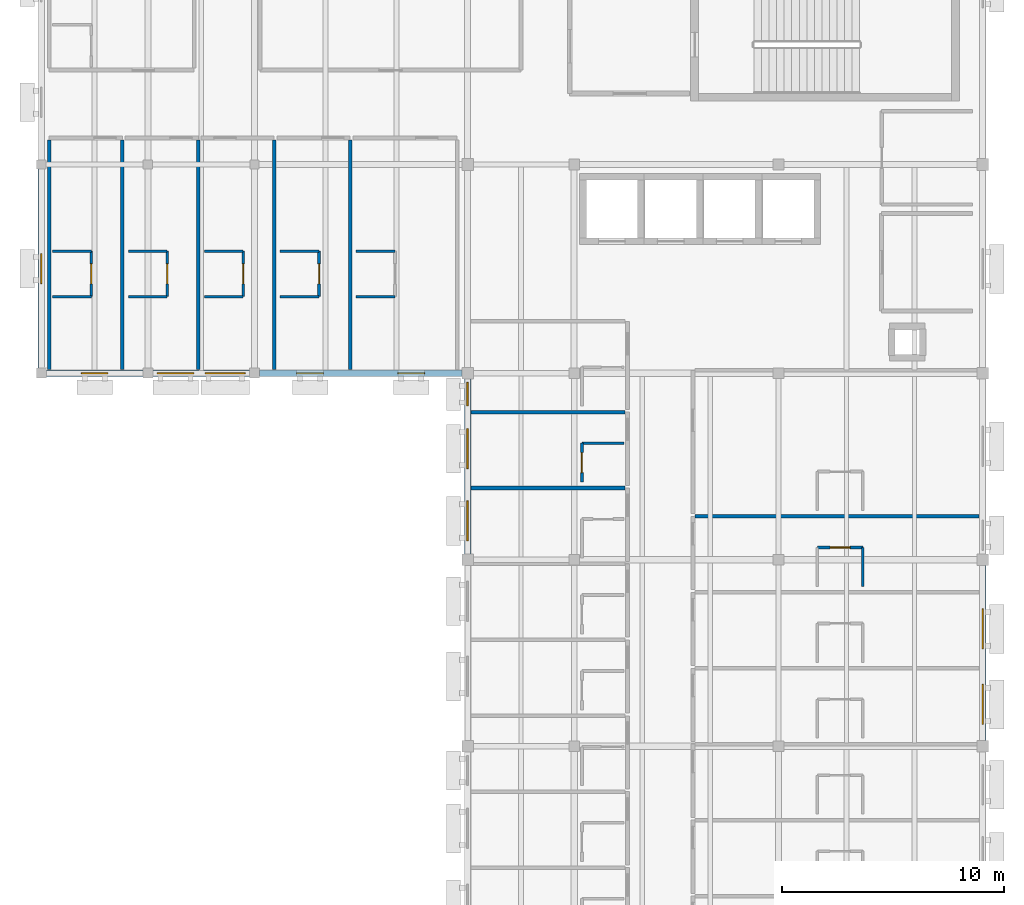
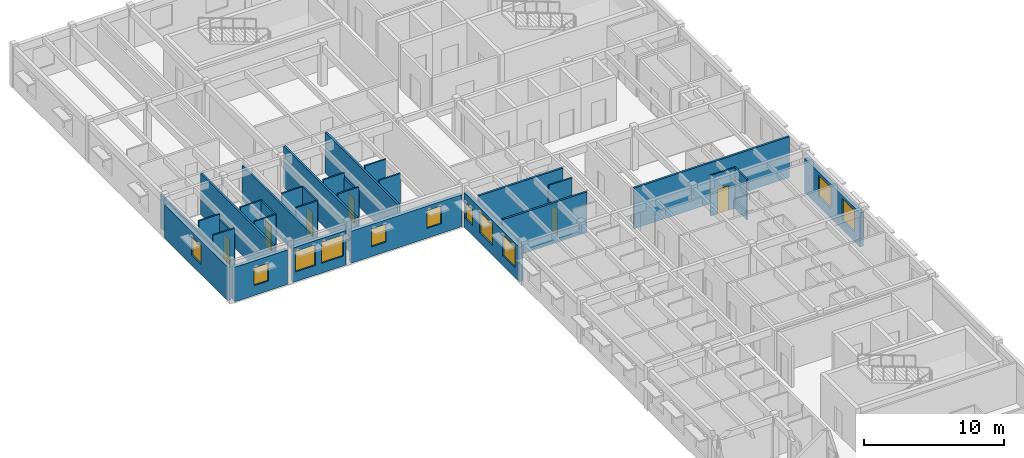
# One storey, part 12 of 22: 32 walls, 11 windows, 6 doors, 17 openings.
"""IFC4 building model written with IfcOpenShell, lengths in metres."""

from ifc_helpers import new_model, si_unit, direction, frame, frame_2d, origin, place, context, subcontext, project, spatial, rectangle, extrude, material, layer, layer_set, type_object, element, fill, save


model = new_model("IFC4")

# Units and contexts
model_context = context("Model", 3, precision=1e-05, world=origin(), true_north=direction((0.0, 1.0)))
body_context = subcontext(model_context, "Body", "Model", "MODEL_VIEW")
ifc_project = project(units=[si_unit("LENGTHUNIT", "METRE"), si_unit("AREAUNIT", "SQUARE_METRE"), si_unit("VOLUMEUNIT", "CUBIC_METRE"), si_unit("PLANEANGLEUNIT", "RADIAN"), si_unit("MASSUNIT", "GRAM", prefix="KILO")], contexts=[model_context])

# Site, building, storey
site_placement = place(None, origin())
site = spatial("IfcSite", under=ifc_project, at=site_placement, CompositionType="ELEMENT")
building_placement = place(site_placement, origin())
building = spatial("IfcBuilding", under=site, at=building_placement, Name="Veldera Park Congress Hotel", CompositionType="ELEMENT")
storey_placement = place(building_placement, frame((0.0, 0.0, 23.800048828125)))
storey = spatial("IfcBuildingStorey", under=building, at=storey_placement, Name="L05", CompositionType="ELEMENT", Elevation=23.800048828125)

# Wall, openings, windows
ifc_material_1 = material(Name="Cross-laminated timber CLT V2M1.1", Category="wood")
ifc_layer_1 = layer(ifc_material_1, 0.300048828125)
ifc_layer_set_1 = layer_set([ifc_layer_1], Name="Cross-laminated timber CLT V2M1.1")
wall_type_1 = type_object("IfcWallType", Name="EW-CLT300", PredefinedType="STANDARD", material=ifc_layer_set_1)
wall_1_placement = place(storey_placement, frame((84.0, 10.4580078125, 0.0), z_axis=(0.0, 0.0, 1.0), x_axis=(0.0, 1.0, 0.0)))
wall_1 = element("IfcWall", 1, at=wall_1_placement, inside=storey, type_object=wall_type_1, Name="L05 Exterior Wall EW3-L05-0285", PredefinedType="STANDARD", context=body_context, shape_type="SweptSolid", body=[
    extrude(rectangle(XDim=7.884033203125, YDim=0.300048828125, at=frame_2d((3.94189453125, 0.0))), origin(), (0.0, 0.0, 1.0), 2.96484375),
])
opening_1_placement = place(wall_1_placement, frame((0.72607421875, 0.0, 0.85009765625)))
opening_1 = element("IfcOpeningElement", 2, at=opening_1_placement, cuts=wall_1, Name="Opening WIN-1800", PredefinedType="OPENING", context=body_context, shape_type="SweptSolid", body=[
    extrude(rectangle(XDim=1.800048828125, YDim=1.85009765625, at=frame_2d((0.89990234375, 0.925048828125))), frame((0.0, 0.162109375, 0.0), z_axis=(0.0, -1.0, 0.0), x_axis=(1.0, 0.0, 0.0)), (0.0, 0.0, 1.0), 0.323974609375),
])
opening_2_placement = place(wall_1_placement, frame((4.1220703125, 0.0, 0.85009765625)))
opening_2 = element("IfcOpeningElement", 3, at=opening_2_placement, cuts=wall_1, Name="Opening WIN-1800", PredefinedType="OPENING", context=body_context, shape_type="SweptSolid", body=[
    extrude(rectangle(XDim=1.800048828125, YDim=1.85009765625, at=frame_2d((0.89990234375, 0.925048828125))), frame((0.0, 0.162109375, 0.0), z_axis=(0.0, -1.0, 0.0), x_axis=(1.0, 0.0, 0.0)), (0.0, 0.0, 1.0), 0.323974609375),
])
ifc_material_2 = material(Name="Low-E Triple Insulating Glass Unit (SHGC 0.22)", Category="glass")
window_type_1 = type_object("IfcWindowType", Name="WIN-1800", PartitioningType="SINGLE_PANEL", PredefinedType="WINDOW", material=ifc_material_2)
window_1_placement = place(opening_1_placement, origin())
window_1 = element("IfcWindow", 4, at=window_1_placement, inside=storey, type_object=window_type_1, Name="L05 Window WIN-1800 502", OverallHeight=1.85009765625, OverallWidth=1.800048828125, PartitioningType="SINGLE_PANEL", PredefinedType="WINDOW", context=body_context, shape_type="SweptSolid", body=[
    extrude(rectangle(XDim=1.800048828125, YDim=1.85009765625, at=frame_2d((0.89990234375, 0.925048828125))), frame((0.0, 0.030029296875, 0.0), z_axis=(0.0, -1.0, 0.0), x_axis=(1.0, 0.0, 0.0)), (0.0, 0.0, 1.0), 0.06005859375),
])
fill(opening_1, window_1)
window_2_placement = place(opening_2_placement, origin())
window_2 = element("IfcWindow", 5, at=window_2_placement, inside=storey, type_object=window_type_1, Name="L05 Window WIN-1800 503", OverallHeight=1.85009765625, OverallWidth=1.800048828125, PartitioningType="SINGLE_PANEL", PredefinedType="WINDOW", context=body_context, shape_type="SweptSolid", body=[
    extrude(rectangle(XDim=1.800048828125, YDim=1.85009765625, at=frame_2d((0.89990234375, 0.925048828125))), frame((0.0, 0.030029296875, 0.0), z_axis=(0.0, -1.0, 0.0), x_axis=(1.0, 0.0, 0.0)), (0.0, 0.0, 1.0), 0.06005859375),
])
fill(opening_2, window_2)

# Wall, opening, window
wall_2_placement = place(storey_placement, frame((41.60009765625, 36.19189453125, 0.0), z_axis=(0.0, 0.0, 1.0), x_axis=(0.0, -1.0, 0.0)))
wall_2 = element("IfcWall", 6, at=wall_2_placement, inside=storey, type_object=wall_type_1, Name="L05 Exterior Wall EW3-L05-0296", PredefinedType="STANDARD", context=body_context, shape_type="SweptSolid", body=[
    extrude(rectangle(XDim=8.968994140625, YDim=0.300048828125, at=frame_2d((4.484375, 0.0))), origin(), (0.0, 0.0, 1.0), 2.925048828125),
])
opening_3_placement = place(wall_2_placement, frame((3.8095703125, 0.0, 0.85009765625)))
opening_3 = element("IfcOpeningElement", 7, at=opening_3_placement, cuts=wall_2, Name="Opening WIN-1350", PredefinedType="OPENING", context=body_context, shape_type="SweptSolid", body=[
    extrude(rectangle(XDim=1.35009765625, YDim=1.64990234375, at=frame_2d((0.675048828125, 0.824951171875))), frame((0.0, 0.162109375, 0.0), z_axis=(0.0, -1.0, 0.0), x_axis=(1.0, 0.0, 0.0)), (0.0, 0.0, 1.0), 0.323974609375),
])
window_type_2 = type_object("IfcWindowType", Name="WIN-1350", PartitioningType="SINGLE_PANEL", PredefinedType="WINDOW", material=ifc_material_2)
window_3_placement = place(opening_3_placement, origin())
window_3 = element("IfcWindow", 8, at=window_3_placement, inside=storey, type_object=window_type_2, Name="L05 Window WIN-1350 231", OverallHeight=1.64990234375, OverallWidth=1.35009765625, PartitioningType="SINGLE_PANEL", PredefinedType="WINDOW", context=body_context, shape_type="SweptSolid", body=[
    extrude(rectangle(XDim=1.35009765625, YDim=1.64990234375, at=frame_2d((0.675048828125, 0.824951171875))), frame((0.0, 0.030029296875, 0.0), z_axis=(0.0, -1.0, 0.0), x_axis=(1.0, 0.0, 0.0)), (0.0, 0.0, 1.0), 0.06005859375),
])
fill(opening_3, window_3)

wall_3_placement = place(storey_placement, frame((41.822998046875, 27.0, 0.0), z_axis=(0.0, 0.0, 1.0), x_axis=(1.0, 0.0, 0.0)))
wall_3 = element("IfcWall", 9, at=wall_3_placement, inside=storey, type_object=wall_type_1, Name="L05 Exterior Wall EW3-L05-0297", PredefinedType="STANDARD", context=body_context, shape_type="SweptSolid", body=[
    extrude(rectangle(XDim=4.35400390625, YDim=0.300048828125, at=frame_2d((2.177001953125, 0.0))), origin(), (0.0, 0.0, 1.0), 3.0048828125),
])
opening_4_placement = place(wall_3_placement, frame((1.576904296875, 0.0, 0.85009765625)))
opening_4 = element("IfcOpeningElement", 10, at=opening_4_placement, cuts=wall_3, Name="Opening WIN-1200", PredefinedType="OPENING", context=body_context, shape_type="SweptSolid", body=[
    extrude(rectangle(XDim=1.199951171875, YDim=1.550048828125, at=frame_2d((0.60009765625, 0.77490234375))), frame((0.0, 0.162109375, 0.0), z_axis=(0.0, -1.0, 0.0), x_axis=(1.0, 0.0, 0.0)), (0.0, 0.0, 1.0), 0.323974609375),
])
window_type_3 = type_object("IfcWindowType", Name="WIN-1200", PartitioningType="SINGLE_PANEL", PredefinedType="WINDOW", material=ifc_material_2)
window_4_placement = place(opening_4_placement, origin())
window_4 = element("IfcWindow", 11, at=window_4_placement, inside=storey, type_object=window_type_3, Name="L05 Window WIN-1200 232", OverallHeight=1.550048828125, OverallWidth=1.199951171875, PartitioningType="SINGLE_PANEL", PredefinedType="WINDOW", context=body_context, shape_type="SweptSolid", body=[
    extrude(rectangle(XDim=1.199951171875, YDim=1.550048828125, at=frame_2d((0.60009765625, 0.77490234375))), frame((0.0, 0.030029296875, 0.0), z_axis=(0.0, -1.0, 0.0), x_axis=(1.0, 0.0, 0.0)), (0.0, 0.0, 1.0), 0.06005859375),
])
fill(opening_4, window_4)

# Wall, openings, windows
wall_4_placement = place(storey_placement, frame((46.623046875, 27.0, 0.0), z_axis=(0.0, 0.0, 1.0), x_axis=(1.0, 0.0, 0.0)))
wall_4 = element("IfcWall", 12, at=wall_4_placement, inside=storey, type_object=wall_type_1, Name="L05 Exterior Wall EW3-L05-0298", PredefinedType="STANDARD", context=body_context, shape_type="SweptSolid", body=[
    extrude(rectangle(XDim=4.35400390625, YDim=0.300048828125, at=frame_2d((2.177001953125, 0.0))), origin(), (0.0, 0.0, 1.0), 3.0048828125),
])
opening_5_placement = place(wall_4_placement, frame((0.198486328125, 0.0, 0.85009765625)))
opening_5 = element("IfcOpeningElement", 13, at=opening_5_placement, cuts=wall_4, Name="Opening WIN-1650", PredefinedType="OPENING", context=body_context, shape_type="SweptSolid", body=[
    extrude(rectangle(XDim=1.64990234375, YDim=1.800048828125, at=frame_2d((0.824951171875, 0.89990234375))), frame((0.0, 0.162109375, 0.0), z_axis=(0.0, -1.0, 0.0), x_axis=(1.0, 0.0, 0.0)), (0.0, 0.0, 1.0), 0.323974609375),
])
opening_6_placement = place(wall_4_placement, frame((2.360595703125, 0.0, 0.85009765625)))
opening_6 = element("IfcOpeningElement", 14, at=opening_6_placement, cuts=wall_4, Name="Opening WIN-1800", PredefinedType="OPENING", context=body_context, shape_type="SweptSolid", body=[
    extrude(rectangle(XDim=1.800048828125, YDim=1.85009765625, at=frame_2d((0.89990234375, 0.925048828125))), frame((0.0, 0.162109375, 0.0), z_axis=(0.0, -1.0, 0.0), x_axis=(1.0, 0.0, 0.0)), (0.0, 0.0, 1.0), 0.323974609375),
])
window_type_4 = type_object("IfcWindowType", Name="WIN-1650", PartitioningType="SINGLE_PANEL", PredefinedType="WINDOW", material=ifc_material_2)
window_5_placement = place(opening_5_placement, origin())
window_5 = element("IfcWindow", 15, at=window_5_placement, inside=storey, type_object=window_type_4, Name="L05 Window WIN-1650 506", OverallHeight=1.800048828125, OverallWidth=1.64990234375, PartitioningType="SINGLE_PANEL", PredefinedType="WINDOW", context=body_context, shape_type="SweptSolid", body=[
    extrude(rectangle(XDim=1.64990234375, YDim=1.800048828125, at=frame_2d((0.824951171875, 0.89990234375))), frame((0.0, 0.030029296875, 0.0), z_axis=(0.0, -1.0, 0.0), x_axis=(1.0, 0.0, 0.0)), (0.0, 0.0, 1.0), 0.06005859375),
])
fill(opening_5, window_5)
window_6_placement = place(opening_6_placement, origin())
window_6 = element("IfcWindow", 16, at=window_6_placement, inside=storey, type_object=window_type_1, Name="L05 Window WIN-1800 507", OverallHeight=1.85009765625, OverallWidth=1.800048828125, PartitioningType="SINGLE_PANEL", PredefinedType="WINDOW", context=body_context, shape_type="SweptSolid", body=[
    extrude(rectangle(XDim=1.800048828125, YDim=1.85009765625, at=frame_2d((0.89990234375, 0.925048828125))), frame((0.0, 0.030029296875, 0.0), z_axis=(0.0, -1.0, 0.0), x_axis=(1.0, 0.0, 0.0)), (0.0, 0.0, 1.0), 0.06005859375),
])
fill(opening_6, window_6)

wall_5_placement = place(storey_placement, frame((51.423095703125, 27.0, 0.0), z_axis=(0.0, 0.0, 1.0), x_axis=(1.0, 0.0, 0.0)))
wall_5 = element("IfcWall", 17, at=wall_5_placement, inside=storey, type_object=wall_type_1, Name="L05 Exterior Wall EW3-L05-0299", PredefinedType="STANDARD", context=body_context, shape_type="SweptSolid", body=[
    extrude(rectangle(XDim=9.118896484375, YDim=0.300048828125, at=frame_2d((4.5595703125, 0.0))), origin(), (0.0, 0.0, 1.0), 2.784912109375),
])
opening_7_placement = place(wall_5_placement, frame((1.6796875, 0.0, 0.85009765625)))
opening_7 = element("IfcOpeningElement", 18, at=opening_7_placement, cuts=wall_5, Name="Opening WIN-1200", PredefinedType="OPENING", context=body_context, shape_type="SweptSolid", body=[
    extrude(rectangle(XDim=1.199951171875, YDim=1.550048828125, at=frame_2d((0.60009765625, 0.77490234375))), frame((0.0, 0.162109375, 0.0), z_axis=(0.0, -1.0, 0.0), x_axis=(1.0, 0.0, 0.0)), (0.0, 0.0, 1.0), 0.323974609375),
])
opening_8_placement = place(wall_5_placement, frame((6.2392578125, 0.0, 0.85009765625)))
opening_8 = element("IfcOpeningElement", 19, at=opening_8_placement, cuts=wall_5, Name="Opening WIN-1200", PredefinedType="OPENING", context=body_context, shape_type="SweptSolid", body=[
    extrude(rectangle(XDim=1.199951171875, YDim=1.550048828125, at=frame_2d((0.60009765625, 0.77490234375))), frame((0.0, 0.162109375, 0.0), z_axis=(0.0, -1.0, 0.0), x_axis=(1.0, 0.0, 0.0)), (0.0, 0.0, 1.0), 0.323974609375),
])
window_7_placement = place(opening_7_placement, origin())
window_7 = element("IfcWindow", 20, at=window_7_placement, inside=storey, type_object=window_type_3, Name="L05 Window WIN-1200 233", OverallHeight=1.550048828125, OverallWidth=1.199951171875, PartitioningType="SINGLE_PANEL", PredefinedType="WINDOW", context=body_context, shape_type="SweptSolid", body=[
    extrude(rectangle(XDim=1.199951171875, YDim=1.550048828125, at=frame_2d((0.60009765625, 0.77490234375))), frame((0.0, 0.030029296875, 0.0), z_axis=(0.0, -1.0, 0.0), x_axis=(1.0, 0.0, 0.0)), (0.0, 0.0, 1.0), 0.06005859375),
])
fill(opening_7, window_7)
window_8_placement = place(opening_8_placement, origin())
window_8 = element("IfcWindow", 21, at=window_8_placement, inside=storey, type_object=window_type_3, Name="L05 Window WIN-1200 234", OverallHeight=1.550048828125, OverallWidth=1.199951171875, PartitioningType="SINGLE_PANEL", PredefinedType="WINDOW", context=body_context, shape_type="SweptSolid", body=[
    extrude(rectangle(XDim=1.199951171875, YDim=1.550048828125, at=frame_2d((0.60009765625, 0.77490234375))), frame((0.0, 0.030029296875, 0.0), z_axis=(0.0, -1.0, 0.0), x_axis=(1.0, 0.0, 0.0)), (0.0, 0.0, 1.0), 0.06005859375),
])
fill(opening_8, window_8)

wall_6_placement = place(storey_placement, frame((60.800048828125, 26.741943359375, 0.0), z_axis=(0.0, 0.0, 1.0), x_axis=(0.0, -1.0, 0.0)))
wall_6 = element("IfcWall", 22, at=wall_6_placement, inside=storey, type_object=wall_type_1, Name="L05 Exterior Wall EW3-L05-0300", PredefinedType="STANDARD", context=body_context, shape_type="SweptSolid", body=[
    extrude(rectangle(XDim=7.884033203125, YDim=0.300048828125, at=frame_2d((3.94189453125, 0.0))), origin(), (0.0, 0.0, 1.0), 3.0048828125),
])
opening_9_placement = place(wall_6_placement, frame((5.498046875, 0.0, 0.85009765625)))
opening_9 = element("IfcOpeningElement", 23, at=opening_9_placement, cuts=wall_6, Name="Opening WIN-1800", PredefinedType="OPENING", context=body_context, shape_type="SweptSolid", body=[
    extrude(rectangle(XDim=1.800048828125, YDim=1.85009765625, at=frame_2d((0.89990234375, 0.925048828125))), frame((0.0, 0.162109375, 0.0), z_axis=(0.0, -1.0, 0.0), x_axis=(1.0, 0.0, 0.0)), (0.0, 0.0, 1.0), 0.323974609375),
])
opening_10_placement = place(wall_6_placement, frame((2.241943359375, 0.0, 0.85009765625)))
opening_10 = element("IfcOpeningElement", 24, at=opening_10_placement, cuts=wall_6, Name="Opening WIN-1800", PredefinedType="OPENING", context=body_context, shape_type="SweptSolid", body=[
    extrude(rectangle(XDim=1.800048828125, YDim=1.85009765625, at=frame_2d((0.89990234375, 0.925048828125))), frame((0.0, 0.162109375, 0.0), z_axis=(0.0, -1.0, 0.0), x_axis=(1.0, 0.0, 0.0)), (0.0, 0.0, 1.0), 0.323974609375),
])
opening_11_placement = place(wall_6_placement, frame((0.160888671875, 0.0, 0.85009765625)))
opening_11 = element("IfcOpeningElement", 25, at=opening_11_placement, cuts=wall_6, Name="Opening WIN-1050", PredefinedType="OPENING", context=body_context, shape_type="SweptSolid", body=[
    extrude(rectangle(XDim=1.050048828125, YDim=1.449951171875, at=frame_2d((0.52490234375, 0.72509765625))), frame((0.0, 0.162109375, 0.0), z_axis=(0.0, -1.0, 0.0), x_axis=(1.0, 0.0, 0.0)), (0.0, 0.0, 1.0), 0.323974609375),
])
window_type_5 = type_object("IfcWindowType", Name="WIN-1050", PartitioningType="SINGLE_PANEL", PredefinedType="WINDOW", material=ifc_material_2)
window_9_placement = place(opening_11_placement, origin())
window_9 = element("IfcWindow", 26, at=window_9_placement, inside=storey, type_object=window_type_5, Name="L05 Window WIN-1050 492", OverallHeight=1.449951171875, OverallWidth=1.050048828125, PartitioningType="SINGLE_PANEL", PredefinedType="WINDOW", context=body_context, shape_type="SweptSolid", body=[
    extrude(rectangle(XDim=1.050048828125, YDim=1.449951171875, at=frame_2d((0.52490234375, 0.72509765625))), frame((0.0, 0.030029296875, 0.0), z_axis=(0.0, -1.0, 0.0), x_axis=(1.0, 0.0, 0.0)), (0.0, 0.0, 1.0), 0.06005859375),
])
fill(opening_11, window_9)
window_10_placement = place(opening_9_placement, origin())
window_10 = element("IfcWindow", 27, at=window_10_placement, inside=storey, type_object=window_type_1, Name="L05 Window WIN-1800 490", OverallHeight=1.85009765625, OverallWidth=1.800048828125, PartitioningType="SINGLE_PANEL", PredefinedType="WINDOW", context=body_context, shape_type="SweptSolid", body=[
    extrude(rectangle(XDim=1.800048828125, YDim=1.85009765625, at=frame_2d((0.89990234375, 0.925048828125))), frame((0.0, 0.030029296875, 0.0), z_axis=(0.0, -1.0, 0.0), x_axis=(1.0, 0.0, 0.0)), (0.0, 0.0, 1.0), 0.06005859375),
])
fill(opening_9, window_10)
window_11_placement = place(opening_10_placement, origin())
window_11 = element("IfcWindow", 28, at=window_11_placement, inside=storey, type_object=window_type_1, Name="L05 Window WIN-1800 491", OverallHeight=1.85009765625, OverallWidth=1.800048828125, PartitioningType="SINGLE_PANEL", PredefinedType="WINDOW", context=body_context, shape_type="SweptSolid", body=[
    extrude(rectangle(XDim=1.800048828125, YDim=1.85009765625, at=frame_2d((0.89990234375, 0.925048828125))), frame((0.0, 0.030029296875, 0.0), z_axis=(0.0, -1.0, 0.0), x_axis=(1.0, 0.0, 0.0)), (0.0, 0.0, 1.0), 0.06005859375),
])
fill(opening_10, window_11)

# Wall, opening, door
ifc_material_3 = material(Name="Fire-Rated Gypsum Board on Cold-Formed Steel Studs", Category="steel")
ifc_layer_2 = layer(ifc_material_3, 0.1201171875)
ifc_layer_set_2 = layer_set([ifc_layer_2], Name="Fire-Rated Gypsum Board on Cold-Formed Steel Studs")
wall_type_2 = type_object("IfcWallType", Name="IW-BATH120", PredefinedType="PARTITIONING", material=ifc_layer_set_2)
wall_7_placement = place(storey_placement, frame((65.949951171875, 22.10009765625, 0.0), z_axis=(0.0, 0.0, 1.0), x_axis=(0.0, 1.0, 0.0)))
wall_7 = element("IfcWall", 29, at=wall_7_placement, inside=storey, type_object=wall_type_2, Name="L05 Partition Wall IW3-L05-01071", PredefinedType="PARTITIONING", context=body_context, shape_type="SweptSolid", body=[
    extrude(rectangle(XDim=1.75, YDim=0.1201171875, at=frame_2d((0.875, 0.0))), origin(), (0.0, 0.0, 1.0), 3.0048828125),
])
opening_12_placement = place(wall_7_placement, frame((0.425048828125, 0.0, 0.0)))
opening_12 = element("IfcOpeningElement", 30, at=opening_12_placement, cuts=wall_7, Name="Opening ID-BATH090", PredefinedType="OPENING", context=body_context, shape_type="SweptSolid", body=[
    extrude(rectangle(XDim=0.89990234375, YDim=2.14990234375, at=frame_2d((0.449951171875, 1.074951171875))), frame((0.0, 0.072021484375, 0.0), z_axis=(0.0, -1.0, 0.0), x_axis=(1.0, 0.0, 0.0)), (0.0, 0.0, 1.0), 0.14404296875),
])
ifc_material_4 = material(Name="Solid Core White Oak Architectural Door", Category="wood")
door_type = type_object("IfcDoorType", Name="ID-BATH090", OperationType="NOTDEFINED", PredefinedType="DOOR", material=ifc_material_4)
door_1_placement = place(opening_12_placement, origin())
door_1 = element("IfcDoor", 31, at=door_1_placement, inside=storey, type_object=door_type, Name="L05 En-suite 154 Door ID3-L05-0447 (DR3-ID3-L05-0447)", OperationType="SINGLE_SWING_LEFT", OverallHeight=2.14990234375, OverallWidth=0.89990234375, PredefinedType="DOOR", context=body_context, shape_type="SweptSolid", body=[
    extrude(rectangle(XDim=0.89990234375, YDim=2.14990234375, at=frame_2d((0.449951171875, 1.074951171875))), frame((0.0, 0.02490234375, 0.0), z_axis=(0.0, -1.0, 0.0), x_axis=(1.0, 0.0, 0.0)), (0.0, 0.0, 1.0), 0.050048828125),
])
fill(opening_12, door_1)

# Walls
wall_8_placement = place(storey_placement, frame((65.949951171875, 23.85009765625, 0.0), z_axis=(0.0, 0.0, 1.0), x_axis=(1.0, 0.0, 0.0)))
element("IfcWall", 32, at=wall_8_placement, inside=storey, type_object=wall_type_2, Name="L05 Partition Wall IW3-L05-01072", PredefinedType="PARTITIONING", context=body_context, shape_type="SweptSolid", body=[
    extrude(rectangle(XDim=1.900146484375, YDim=0.1201171875, at=frame_2d((0.9501953125, 0.0))), origin(), (0.0, 0.0, 1.0), 3.550048828125),
])
wall_9_placement = place(storey_placement, frame((78.60009765625, 17.39990234375, 0.0), z_axis=(0.0, 0.0, 1.0), x_axis=(0.0, 1.0, 0.0)))
element("IfcWall", 33, at=wall_9_placement, inside=storey, type_object=wall_type_2, Name="L05 Partition Wall IW3-L05-01142", PredefinedType="PARTITIONING", context=body_context, shape_type="SweptSolid", body=[
    extrude(rectangle(XDim=1.75, YDim=0.1201171875, at=frame_2d((0.875, 0.0))), origin(), (0.0, 0.0, 1.0), 3.550048828125),
])

# Wall, opening, door
wall_10_placement = place(storey_placement, frame((76.550048828125, 19.14990234375, 0.0), z_axis=(0.0, 0.0, 1.0), x_axis=(1.0, 0.0, 0.0)))
wall_10 = element("IfcWall", 34, at=wall_10_placement, inside=storey, type_object=wall_type_2, Name="L05 Partition Wall IW3-L05-01143", PredefinedType="PARTITIONING", context=body_context, shape_type="SweptSolid", body=[
    extrude(rectangle(XDim=2.050048828125, YDim=0.1201171875, at=frame_2d((1.02490234375, 0.0))), origin(), (0.0, 0.0, 1.0), 3.550048828125),
])
opening_13_placement = place(wall_10_placement, frame((0.574951171875, 0.0, 0.0)))
opening_13 = element("IfcOpeningElement", 35, at=opening_13_placement, cuts=wall_10, Name="Opening ID-BATH090", PredefinedType="OPENING", context=body_context, shape_type="SweptSolid", body=[
    extrude(rectangle(XDim=0.89990234375, YDim=2.14990234375, at=frame_2d((0.449951171875, 1.074951171875))), frame((0.0, 0.072021484375, 0.0), z_axis=(0.0, -1.0, 0.0), x_axis=(1.0, 0.0, 0.0)), (0.0, 0.0, 1.0), 0.14404296875),
])
door_2_placement = place(opening_13_placement, origin())
door_2 = element("IfcDoor", 36, at=door_2_placement, inside=storey, type_object=door_type, Name="L05 En-suite 168 Door ID3-L05-0475 (DR3-ID3-L05-0475)", OperationType="SINGLE_SWING_LEFT", OverallHeight=2.14990234375, OverallWidth=0.89990234375, PredefinedType="DOOR", context=body_context, shape_type="SweptSolid", body=[
    extrude(rectangle(XDim=0.89990234375, YDim=2.14990234375, at=frame_2d((0.449951171875, 1.074951171875))), frame((0.0, 0.02490234375, 0.0), z_axis=(0.0, -1.0, 0.0), x_axis=(1.0, 0.0, 0.0)), (0.0, 0.0, 1.0), 0.050048828125),
])
fill(opening_13, door_2)

# Wall
wall_11_placement = place(storey_placement, frame((42.10009765625, 32.5, 0.0), z_axis=(0.0, 0.0, 1.0), x_axis=(1.0, 0.0, 0.0)))
element("IfcWall", 37, at=wall_11_placement, inside=storey, type_object=wall_type_2, Name="L05 Partition Wall IW3-L05-01152", PredefinedType="PARTITIONING", context=body_context, shape_type="SweptSolid", body=[
    extrude(rectangle(XDim=1.75, YDim=0.1201171875, at=frame_2d((0.875, 0.0))), origin(), (0.0, 0.0, 1.0), 3.550048828125),
])

# Wall, opening, door
wall_12_placement = place(storey_placement, frame((43.85009765625, 30.449951171875, 0.0), z_axis=(0.0, 0.0, 1.0), x_axis=(0.0, 1.0, 0.0)))
wall_12 = element("IfcWall", 38, at=wall_12_placement, inside=storey, type_object=wall_type_2, Name="L05 Partition Wall IW3-L05-01153", PredefinedType="PARTITIONING", context=body_context, shape_type="SweptSolid", body=[
    extrude(rectangle(XDim=2.050048828125, YDim=0.1201171875, at=frame_2d((1.02490234375, 0.0))), origin(), (0.0, 0.0, 1.0), 3.094970703125),
])
opening_14_placement = place(wall_12_placement, frame((0.574951171875, 0.0, 0.0)))
opening_14 = element("IfcOpeningElement", 39, at=opening_14_placement, cuts=wall_12, Name="Opening ID-BATH090", PredefinedType="OPENING", context=body_context, shape_type="SweptSolid", body=[
    extrude(rectangle(XDim=0.89990234375, YDim=2.14990234375, at=frame_2d((0.449951171875, 1.074951171875))), frame((0.0, 0.072021484375, 0.0), z_axis=(0.0, -1.0, 0.0), x_axis=(1.0, 0.0, 0.0)), (0.0, 0.0, 1.0), 0.14404296875),
])
door_3_placement = place(opening_14_placement, origin())
door_3 = element("IfcDoor", 40, at=door_3_placement, inside=storey, type_object=door_type, Name="L05 En-suite 170 Door ID3-L05-0479 (DR3-ID3-L05-0479)", OperationType="SINGLE_SWING_LEFT", OverallHeight=2.14990234375, OverallWidth=0.89990234375, PredefinedType="DOOR", context=body_context, shape_type="SweptSolid", body=[
    extrude(rectangle(XDim=0.89990234375, YDim=2.14990234375, at=frame_2d((0.449951171875, 1.074951171875))), frame((0.0, 0.02490234375, 0.0), z_axis=(0.0, -1.0, 0.0), x_axis=(1.0, 0.0, 0.0)), (0.0, 0.0, 1.0), 0.050048828125),
])
fill(opening_14, door_3)

# Walls
for number, where, z_axis, x_axis, name in (
    (41, (42.10009765625, 30.449951171875, 0.0), (0.0, 0.0, 1.0), (1.0, 0.0, 0.0), "L05 Partition Wall IW3-L05-01154"),
    (42, (45.52001953125, 32.5, 0.0), (0.0, 0.0, 1.0), (1.0, 0.0, 0.0), "L05 Partition Wall IW3-L05-01157"),
):
    element("IfcWall", number, at=place(storey_placement, frame(where, z_axis=z_axis, x_axis=x_axis)), inside=storey, type_object=wall_type_2, Name=name, PredefinedType="PARTITIONING", context=body_context, shape_type="SweptSolid", body=[
        extrude(rectangle(XDim=1.75, YDim=0.1201171875, at=frame_2d((0.875, 0.0))), origin(), (0.0, 0.0, 1.0), 3.550048828125),
    ])

# Wall, opening, door
wall_13_placement = place(storey_placement, frame((47.27001953125, 30.449951171875, 0.0), z_axis=(0.0, 0.0, 1.0), x_axis=(0.0, 1.0, 0.0)))
wall_13 = element("IfcWall", 43, at=wall_13_placement, inside=storey, type_object=wall_type_2, Name="L05 Partition Wall IW3-L05-01158", PredefinedType="PARTITIONING", context=body_context, shape_type="SweptSolid", body=[
    extrude(rectangle(XDim=2.050048828125, YDim=0.1201171875, at=frame_2d((1.02490234375, 0.0))), origin(), (0.0, 0.0, 1.0), 3.550048828125),
])
opening_15_placement = place(wall_13_placement, frame((0.574951171875, 0.0, 0.0)))
opening_15 = element("IfcOpeningElement", 44, at=opening_15_placement, cuts=wall_13, Name="Opening ID-BATH090", PredefinedType="OPENING", context=body_context, shape_type="SweptSolid", body=[
    extrude(rectangle(XDim=0.89990234375, YDim=2.14990234375, at=frame_2d((0.449951171875, 1.074951171875))), frame((0.0, 0.072021484375, 0.0), z_axis=(0.0, -1.0, 0.0), x_axis=(1.0, 0.0, 0.0)), (0.0, 0.0, 1.0), 0.14404296875),
])
door_4_placement = place(opening_15_placement, origin())
door_4 = element("IfcDoor", 45, at=door_4_placement, inside=storey, type_object=door_type, Name="L05 En-suite 171 Door ID3-L05-0481 (DR3-ID3-L05-0481)", OperationType="SINGLE_SWING_LEFT", OverallHeight=2.14990234375, OverallWidth=0.89990234375, PredefinedType="DOOR", context=body_context, shape_type="SweptSolid", body=[
    extrude(rectangle(XDim=0.89990234375, YDim=2.14990234375, at=frame_2d((0.449951171875, 1.074951171875))), frame((0.0, 0.02490234375, 0.0), z_axis=(0.0, -1.0, 0.0), x_axis=(1.0, 0.0, 0.0)), (0.0, 0.0, 1.0), 0.050048828125),
])
fill(opening_15, door_4)

# Walls
for number, where, z_axis, x_axis, name in (
    (46, (45.52001953125, 30.449951171875, 0.0), (0.0, 0.0, 1.0), (1.0, 0.0, 0.0), "L05 Partition Wall IW3-L05-01159"),
    (47, (48.93994140625, 32.5, 0.0), (0.0, 0.0, 1.0), (1.0, 0.0, 0.0), "L05 Partition Wall IW3-L05-01162"),
):
    element("IfcWall", number, at=place(storey_placement, frame(where, z_axis=z_axis, x_axis=x_axis)), inside=storey, type_object=wall_type_2, Name=name, PredefinedType="PARTITIONING", context=body_context, shape_type="SweptSolid", body=[
        extrude(rectangle(XDim=1.75, YDim=0.1201171875, at=frame_2d((0.875, 0.0))), origin(), (0.0, 0.0, 1.0), 3.550048828125),
    ])

# Wall, opening, door
wall_14_placement = place(storey_placement, frame((50.68994140625, 30.449951171875, 0.0), z_axis=(0.0, 0.0, 1.0), x_axis=(0.0, 1.0, 0.0)))
wall_14 = element("IfcWall", 48, at=wall_14_placement, inside=storey, type_object=wall_type_2, Name="L05 Partition Wall IW3-L05-01163", PredefinedType="PARTITIONING", context=body_context, shape_type="SweptSolid", body=[
    extrude(rectangle(XDim=2.050048828125, YDim=0.1201171875, at=frame_2d((1.02490234375, 0.0))), origin(), (0.0, 0.0, 1.0), 3.550048828125),
])
opening_16_placement = place(wall_14_placement, frame((0.574951171875, 0.0, 0.0)))
opening_16 = element("IfcOpeningElement", 49, at=opening_16_placement, cuts=wall_14, Name="Opening ID-BATH090", PredefinedType="OPENING", context=body_context, shape_type="SweptSolid", body=[
    extrude(rectangle(XDim=0.89990234375, YDim=2.14990234375, at=frame_2d((0.449951171875, 1.074951171875))), frame((0.0, 0.072021484375, 0.0), z_axis=(0.0, -1.0, 0.0), x_axis=(1.0, 0.0, 0.0)), (0.0, 0.0, 1.0), 0.14404296875),
])
door_5_placement = place(opening_16_placement, origin())
door_5 = element("IfcDoor", 50, at=door_5_placement, inside=storey, type_object=door_type, Name="L05 En-suite 172 Door ID3-L05-0483 (DR3-ID3-L05-0483)", OperationType="SINGLE_SWING_LEFT", OverallHeight=2.14990234375, OverallWidth=0.89990234375, PredefinedType="DOOR", context=body_context, shape_type="SweptSolid", body=[
    extrude(rectangle(XDim=0.89990234375, YDim=2.14990234375, at=frame_2d((0.449951171875, 1.074951171875))), frame((0.0, 0.02490234375, 0.0), z_axis=(0.0, -1.0, 0.0), x_axis=(1.0, 0.0, 0.0)), (0.0, 0.0, 1.0), 0.050048828125),
])
fill(opening_16, door_5)

# Walls
for number, where, z_axis, x_axis, name in (
    (51, (48.93994140625, 30.449951171875, 0.0), (0.0, 0.0, 1.0), (1.0, 0.0, 0.0), "L05 Partition Wall IW3-L05-01164"),
    (52, (52.360107421875, 32.5, 0.0), (0.0, 0.0, 1.0), (1.0, 0.0, 0.0), "L05 Partition Wall IW3-L05-01167"),
):
    element("IfcWall", number, at=place(storey_placement, frame(where, z_axis=z_axis, x_axis=x_axis)), inside=storey, type_object=wall_type_2, Name=name, PredefinedType="PARTITIONING", context=body_context, shape_type="SweptSolid", body=[
        extrude(rectangle(XDim=1.75, YDim=0.1201171875, at=frame_2d((0.875, 0.0))), origin(), (0.0, 0.0, 1.0), 3.550048828125),
    ])

# Wall, opening, door
wall_15_placement = place(storey_placement, frame((54.110107421875, 30.449951171875, 0.0), z_axis=(0.0, 0.0, 1.0), x_axis=(0.0, 1.0, 0.0)))
wall_15 = element("IfcWall", 53, at=wall_15_placement, inside=storey, type_object=wall_type_2, Name="L05 Partition Wall IW3-L05-01168", PredefinedType="PARTITIONING", context=body_context, shape_type="SweptSolid", body=[
    extrude(rectangle(XDim=2.050048828125, YDim=0.1201171875, at=frame_2d((1.02490234375, 0.0))), origin(), (0.0, 0.0, 1.0), 3.094970703125),
])
opening_17_placement = place(wall_15_placement, frame((0.574951171875, 0.0, 0.0)))
opening_17 = element("IfcOpeningElement", 54, at=opening_17_placement, cuts=wall_15, Name="Opening ID-BATH090", PredefinedType="OPENING", context=body_context, shape_type="SweptSolid", body=[
    extrude(rectangle(XDim=0.89990234375, YDim=2.14990234375, at=frame_2d((0.449951171875, 1.074951171875))), frame((0.0, 0.072021484375, 0.0), z_axis=(0.0, -1.0, 0.0), x_axis=(1.0, 0.0, 0.0)), (0.0, 0.0, 1.0), 0.14404296875),
])
door_6_placement = place(opening_17_placement, origin())
door_6 = element("IfcDoor", 55, at=door_6_placement, inside=storey, type_object=door_type, Name="L05 En-suite 173 Door ID3-L05-0485 (DR3-ID3-L05-0485)", OperationType="SINGLE_SWING_LEFT", OverallHeight=2.14990234375, OverallWidth=0.89990234375, PredefinedType="DOOR", context=body_context, shape_type="SweptSolid", body=[
    extrude(rectangle(XDim=0.89990234375, YDim=2.14990234375, at=frame_2d((0.449951171875, 1.074951171875))), frame((0.0, 0.02490234375, 0.0), z_axis=(0.0, -1.0, 0.0), x_axis=(1.0, 0.0, 0.0)), (0.0, 0.0, 1.0), 0.050048828125),
])
fill(opening_17, door_6)

# Walls
for number, where, z_axis, x_axis, name in (
    (56, (52.360107421875, 30.449951171875, 0.0), (0.0, 0.0, 1.0), (1.0, 0.0, 0.0), "L05 Partition Wall IW3-L05-01169"),
    (57, (55.780029296875, 32.5, 0.0), (0.0, 0.0, 1.0), (1.0, 0.0, 0.0), "L05 Partition Wall IW3-L05-01172"),
    (58, (55.780029296875, 30.449951171875, 0.0), (0.0, 0.0, 1.0), (1.0, 0.0, 0.0), "L05 Partition Wall IW3-L05-01174"),
):
    element("IfcWall", number, at=place(storey_placement, frame(where, z_axis=z_axis, x_axis=x_axis)), inside=storey, type_object=wall_type_2, Name=name, PredefinedType="PARTITIONING", context=body_context, shape_type="SweptSolid", body=[
        extrude(rectangle(XDim=1.75, YDim=0.1201171875, at=frame_2d((0.875, 0.0))), origin(), (0.0, 0.0, 1.0), 3.550048828125),
    ])
ifc_layer_3 = layer(ifc_material_1, 0.159912109375)
ifc_layer_set_3 = layer_set([ifc_layer_3], Name="Cross-laminated timber CLT V2M1.1")
wall_type_3 = type_object("IfcWallType", Name="IW-UNIT160", PredefinedType="PARTITIONING", material=ifc_layer_set_3)
for number, where, z_axis, x_axis, name in (
    (59, (60.9599609375, 21.830078125, 0.0), (0.0, 0.0, 1.0), (1.0, 0.0, 0.0), "L05 Partition Wall IW3-L05-01066"),
    (60, (60.9599609375, 25.25, 0.0), (0.0, 0.0, 1.0), (1.0, 0.0, 0.0), "L05 Partition Wall IW3-L05-01070"),
):
    element("IfcWall", number, at=place(storey_placement, frame(where, z_axis=z_axis, x_axis=x_axis)), inside=storey, type_object=wall_type_3, Name=name, PredefinedType="PARTITIONING", context=body_context, shape_type="SweptSolid", body=[
        extrude(rectangle(XDim=6.93994140625, YDim=0.159912109375, at=frame_2d((3.469970703125, 0.0))), origin(), (0.0, 0.0, 1.0), 3.550048828125),
    ])
wall_16_placement = place(storey_placement, frame((71.050048828125, 20.550048828125, 0.0), z_axis=(0.0, 0.0, 1.0), x_axis=(1.0, 0.0, 0.0)))
element("IfcWall", 61, at=wall_16_placement, inside=storey, type_object=wall_type_3, Name="L05 Partition Wall IW3-L05-01140", PredefinedType="PARTITIONING", context=body_context, shape_type="SweptSolid", body=[
    extrude(rectangle(XDim=12.7900390625, YDim=0.159912109375, at=frame_2d((6.39501953125, 0.0))), origin(), (0.0, 0.0, 1.0), 3.550048828125),
])
wall_17_placement = place(storey_placement, frame((41.949951171875, 27.159912109375, 0.0), z_axis=(0.0, 0.0, 1.0), x_axis=(0.0, 1.0, 0.0)))
element("IfcWall", 62, at=wall_17_placement, inside=storey, type_object=wall_type_3, Name="L05 Partition Wall IW3-L05-01150", PredefinedType="PARTITIONING", context=body_context, shape_type="SweptSolid", body=[
    extrude(rectangle(XDim=10.340087890625, YDim=0.159912109375, at=frame_2d((5.169921875, 0.0))), origin(), (0.0, 0.0, 1.0), 2.905029296875),
])
wall_18_placement = place(storey_placement, frame((45.25, 27.159912109375, 0.0), z_axis=(0.0, 0.0, 1.0), x_axis=(0.0, 1.0, 0.0)))
element("IfcWall", 63, at=wall_18_placement, inside=storey, type_object=wall_type_3, Name="L05 Partition Wall IW3-L05-01151", PredefinedType="PARTITIONING", context=body_context, shape_type="SweptSolid", body=[
    extrude(rectangle(XDim=10.340087890625, YDim=0.159912109375, at=frame_2d((5.169921875, 0.0))), origin(), (0.0, 0.0, 1.0), 3.550048828125),
])
wall_19_placement = place(storey_placement, frame((48.669921875, 27.159912109375, 0.0), z_axis=(0.0, 0.0, 1.0), x_axis=(0.0, 1.0, 0.0)))
element("IfcWall", 64, at=wall_19_placement, inside=storey, type_object=wall_type_3, Name="L05 Partition Wall IW3-L05-01156", PredefinedType="PARTITIONING", context=body_context, shape_type="SweptSolid", body=[
    extrude(rectangle(XDim=10.340087890625, YDim=0.159912109375, at=frame_2d((5.169921875, 0.0))), origin(), (0.0, 0.0, 1.0), 3.050048828125),
])
for number, where, z_axis, x_axis, name in (
    (65, (52.090087890625, 27.159912109375, 0.0), (0.0, 0.0, 1.0), (0.0, 1.0, 0.0), "L05 Partition Wall IW3-L05-01161"),
    (66, (55.510009765625, 27.159912109375, 0.0), (0.0, 0.0, 1.0), (0.0, 1.0, 0.0), "L05 Partition Wall IW3-L05-01166"),
):
    element("IfcWall", number, at=place(storey_placement, frame(where, z_axis=z_axis, x_axis=x_axis)), inside=storey, type_object=wall_type_3, Name=name, PredefinedType="PARTITIONING", context=body_context, shape_type="SweptSolid", body=[
        extrude(rectangle(XDim=10.340087890625, YDim=0.159912109375, at=frame_2d((5.169921875, 0.0))), origin(), (0.0, 0.0, 1.0), 3.550048828125),
    ])

save(model, "model.ifc")
